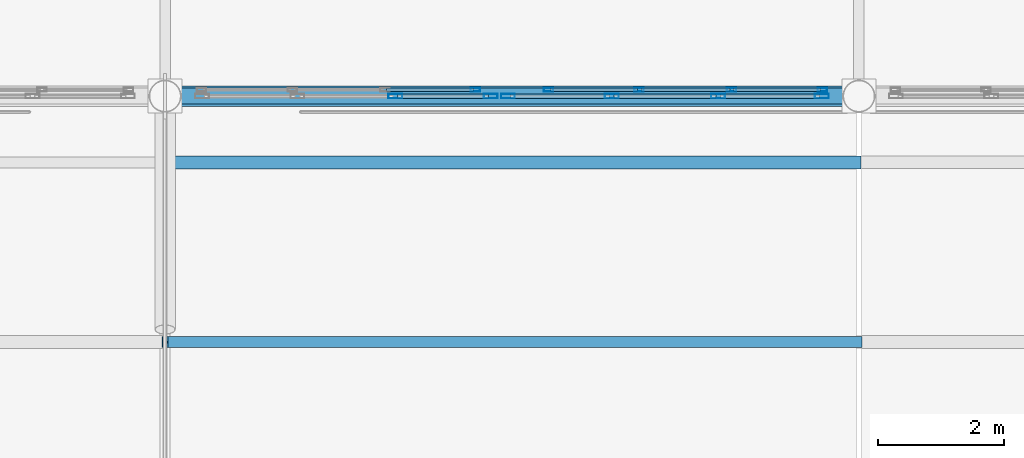
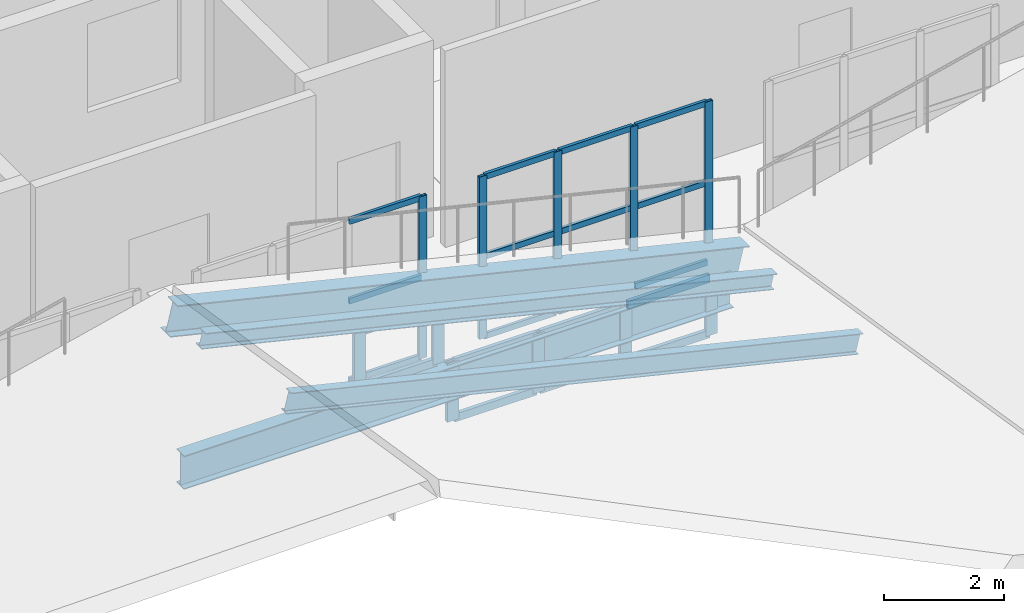
# One storey, part 47 of 120: 33 members, 2 beams, 4 elements without a shape of their own.
"""IFC4 building model written with IfcOpenShell, lengths in metres."""

from ifc_helpers import new_model, si_unit, direction, frame, origin, origin_2d, place, context, subcontext, project, spatial, hollow_rectangle, i_section, extrude, material, material_profile, profile_set, type_object, element, aggregate, save


model = new_model("IFC4")

# Units and contexts
model_context = context("Model", 3, precision=1e-05, world=origin(), true_north=direction((0.0, 1.0)))
body_context = subcontext(model_context, "Body", "Model", "MODEL_VIEW")
ifc_project = project(units=[si_unit("LENGTHUNIT", "METRE"), si_unit("AREAUNIT", "SQUARE_METRE"), si_unit("VOLUMEUNIT", "CUBIC_METRE"), si_unit("PLANEANGLEUNIT", "RADIAN"), si_unit("MASSUNIT", "GRAM", prefix="KILO")], contexts=[model_context])

# Site, building, storey
site_placement = place(None, origin())
site = spatial("IfcSite", under=ifc_project, at=site_placement, CompositionType="ELEMENT")
building_placement = place(site_placement, origin())
building = spatial("IfcBuilding", under=site, at=building_placement, Name="Caurita Quay Ferry Terminal", CompositionType="ELEMENT")
storey_placement = place(building_placement, frame((0.0, 0.0, 9.89990234375)))
storey = spatial("IfcBuildingStorey", under=building, at=storey_placement, Name="L02", CompositionType="ELEMENT", Elevation=9.89990234375)

# Beams
ifc_material_1 = material(Name="Structural steel ASTM A992 Gr. 50", Category="steel")
ifc_material_profile_1 = material_profile(ifc_material_1, i_section(OverallWidth=0.3251953125, OverallDepth=0.612060546875, WebThickness=0.0126953125, FlangeThickness=0.01904296875, FilletRadius=0.01513671875, at=origin_2d()), Name="W24X104")
ifc_profile_set_1 = profile_set([ifc_material_profile_1], Name="Structural steel ASTM A992 Gr. 50")
beam_type_1 = type_object("IfcBeamType", Name="BM-GR-W24A", PredefinedType="BEAM", material=ifc_profile_set_1)
beam_1_placement = place(storey_placement, frame((99.199951171875, 62.699951171875, 2.610107421875), z_axis=(0.972389456854, 0.0, -0.233363973654), x_axis=(0.0, 1.0, 0.0)))
element("IfcBeam", 1, at=beam_1_placement, inside=storey, type_object=beam_type_1, Name="Folded Roof Gable Ring Girder V2-N-99", PredefinedType="BEAM", context=body_context, shape_type="SweptSolid", body=[
    extrude(i_section(OverallWidth=0.3251953125, OverallDepth=0.612060546875, WebThickness=0.0126953125, FlangeThickness=0.01904296875, FilletRadius=0.01513671875, at=origin_2d()), origin(), (0.0, 0.0, 1.0), 11.312255859375),
])
ifc_material_profile_2 = material_profile(ifc_material_1, i_section(OverallWidth=0.25390625, OverallDepth=0.68310546875, WebThickness=0.012451171875, FlangeThickness=0.018798828125, at=origin_2d()), Name="W27X94")
ifc_profile_set_2 = profile_set([ifc_material_profile_2], Name="Structural steel ASTM A992 Gr. 50")
beam_type_2 = type_object("IfcBeamType", Name="BM-GR-W27B", PredefinedType="BEAM", material=ifc_profile_set_2)
beam_2_placement = place(storey_placement, frame((99.416015625, 62.699951171875, -0.5615234375), z_axis=(1.0, 0.0, 0.0), x_axis=(0.0, 1.0, 0.0)))
element("IfcBeam", 2, at=beam_2_placement, inside=storey, type_object=beam_type_2, Name="L02 Beam BM-V2-L02-X-994-627", PredefinedType="BEAM", context=body_context, shape_type="SweptSolid", body=[
    extrude(i_section(OverallWidth=0.25390625, OverallDepth=0.68310546875, WebThickness=0.012451171875, FlangeThickness=0.018798828125, at=origin_2d()), origin(), (0.0, 0.0, 1.0), 10.568115234375),
])

# Curtain wall, member
ifc_material_2 = material(Name="Laminated solar-control insulated glass", Category="glass")
curtain_wall_type_1 = type_object("IfcCurtainWallType", Name="CW-SYS-13", PredefinedType="NOTDEFINED", material=ifc_material_2)
curtain_wall_1_placement = place(storey_placement, origin())
curtain_wall_1 = element("IfcCurtainWall", 3, at=curtain_wall_1_placement, inside=storey, type_object=curtain_wall_type_1, Name="Mezzanine Hall Overlook Glazing 107", PredefinedType="NOTDEFINED")
ifc_material_3 = material(Name="Anodized aluminium 6063-T6", Category="aluminium")
ifc_material_profile_3 = material_profile(ifc_material_3, hollow_rectangle(XDim=0.06005859375, YDim=0.14990234375, WallThickness=0.00341796875, at=origin_2d()), Name="ALU-MUL-60X150")
ifc_profile_set_3 = profile_set([ifc_material_profile_3], Name="Anodized aluminium 6063-T6")
member_type_1 = type_object("IfcMemberType", Name="CW-MUL-150", PredefinedType="MULLION", material=ifc_profile_set_3)
member_1_placement = place(storey_placement, frame((104.1201171875, 62.800048828125, 0.0), z_axis=(0.0, 0.0, 1.0), x_axis=(0.0, 1.0, 0.0)))
member_1 = element("IfcMember", 4, at=member_1_placement, type_object=member_type_1, Name="CW-MZL-107 Mullion 4", PredefinedType="MULLION", context=body_context, shape_type="SweptSolid", body=[
    extrude(hollow_rectangle(XDim=0.06005859375, YDim=0.14990234375, WallThickness=0.00341796875, at=origin_2d()), origin(), (0.0, 0.0, 1.0), 3.300048828125),
])

# Curtain wall, members
curtain_wall_2_placement = place(storey_placement, origin())
curtain_wall_2 = element("IfcCurtainWall", 5, at=curtain_wall_2_placement, inside=storey, type_object=curtain_wall_type_1, Name="Mezzanine Hall Overlook Glazing 108", PredefinedType="NOTDEFINED")
member_2_placement = place(storey_placement, frame((105.280029296875, 62.800048828125, 0.0), z_axis=(0.0, 0.0, 1.0), x_axis=(0.0, 1.0, 0.0)))
member_2 = element("IfcMember", 6, at=member_2_placement, type_object=member_type_1, Name="CW-MZL-108 Mullion 1", PredefinedType="MULLION", context=body_context, shape_type="SweptSolid", body=[
    extrude(hollow_rectangle(XDim=0.06005859375, YDim=0.14990234375, WallThickness=0.00341796875, at=origin_2d()), origin(), (0.0, 0.0, 1.0), 3.300048828125),
])
member_3_placement = place(storey_placement, frame((106.716796875, 62.800048828125, 0.0), z_axis=(0.0, 0.0, 1.0), x_axis=(0.0, 1.0, 0.0)))
member_3 = element("IfcMember", 7, at=member_3_placement, type_object=member_type_1, Name="CW-MZL-108 Mullion 2", PredefinedType="MULLION", context=body_context, shape_type="SweptSolid", body=[
    extrude(hollow_rectangle(XDim=0.06005859375, YDim=0.14990234375, WallThickness=0.00341796875, at=origin_2d()), origin(), (0.0, 0.0, 1.0), 3.300048828125),
])
member_4_placement = place(storey_placement, frame((108.183349609375, 62.800048828125, 0.0), z_axis=(0.0, 0.0, 1.0), x_axis=(0.0, 1.0, 0.0)))
member_4 = element("IfcMember", 8, at=member_4_placement, type_object=member_type_1, Name="CW-MZL-108 Mullion 3", PredefinedType="MULLION", context=body_context, shape_type="SweptSolid", body=[
    extrude(hollow_rectangle(XDim=0.06005859375, YDim=0.14990234375, WallThickness=0.00341796875, at=origin_2d()), origin(), (0.0, 0.0, 1.0), 3.300048828125),
])
member_5_placement = place(storey_placement, frame((109.6201171875, 62.800048828125, 0.0), z_axis=(0.0, 0.0, 1.0), x_axis=(0.0, 1.0, 0.0)))
member_5 = element("IfcMember", 9, at=member_5_placement, type_object=member_type_1, Name="CW-MZL-108 Mullion 4", PredefinedType="MULLION", context=body_context, shape_type="SweptSolid", body=[
    extrude(hollow_rectangle(XDim=0.06005859375, YDim=0.14990234375, WallThickness=0.00341796875, at=origin_2d()), origin(), (0.0, 0.0, 1.0), 3.300048828125),
])

curtain_wall_type_2 = type_object("IfcCurtainWallType", Name="CW-SYS-05", PredefinedType="NOTDEFINED", material=ifc_material_2)
curtain_wall_3_placement = place(storey_placement, origin())
curtain_wall_3 = element("IfcCurtainWall", 10, at=curtain_wall_3_placement, inside=storey, type_object=curtain_wall_type_2, Name="Folded Roof Clerestory FB-05-N3", PredefinedType="NOTDEFINED")
ifc_material_profile_4 = material_profile(ifc_material_3, hollow_rectangle(XDim=0.074951171875, YDim=0.219970703125, WallThickness=0.00390625, at=origin_2d()), Name="ALU-MUL-75X220")
ifc_profile_set_4 = profile_set([ifc_material_profile_4], Name="Anodized aluminium 6063-T6")
member_type_2 = type_object("IfcMemberType", Name="CW-MUL-220", PredefinedType="MULLION", material=ifc_profile_set_4)
member_6_placement = place(storey_placement, frame((102.85009765625, 62.699951171875, -0.122802734375), z_axis=(0.0, 0.0, 1.0), x_axis=(0.0, 1.0, 0.0)))
member_6 = element("IfcMember", 11, at=member_6_placement, type_object=member_type_2, Name="CW-CLR-039 Mullion 3", PredefinedType="MULLION", context=body_context, shape_type="SweptSolid", body=[
    extrude(hollow_rectangle(XDim=0.074951171875, YDim=0.219970703125, WallThickness=0.00390625, at=origin_2d()), origin(), (0.0, 0.0, 1.0), 1.199951171875),
])
member_7_placement = place(storey_placement, frame((104.362548828125, 62.699951171875, -0.122802734375), z_axis=(0.0, 0.0, 1.0), x_axis=(0.0, 1.0, 0.0)))
member_7 = element("IfcMember", 12, at=member_7_placement, type_object=member_type_2, Name="CW-CLR-039 Mullion 4", PredefinedType="MULLION", context=body_context, shape_type="SweptSolid", body=[
    extrude(hollow_rectangle(XDim=0.074951171875, YDim=0.219970703125, WallThickness=0.00390625, at=origin_2d()), origin(), (0.0, 0.0, 1.0), 1.199951171875),
])

curtain_wall_type_3 = type_object("IfcCurtainWallType", Name="CW-SYS-06", PredefinedType="NOTDEFINED", material=ifc_material_2)
curtain_wall_4_placement = place(storey_placement, origin())
curtain_wall_4 = element("IfcCurtainWall", 13, at=curtain_wall_4_placement, inside=storey, type_object=curtain_wall_type_3, Name="Folded Roof Clerestory FB-05-N4", PredefinedType="NOTDEFINED")
member_8_placement = place(storey_placement, frame((104.637451171875, 62.699951171875, -1.3828125), z_axis=(0.0, 0.0, 1.0), x_axis=(0.0, 1.0, 0.0)))
member_8 = element("IfcMember", 14, at=member_8_placement, type_object=member_type_2, Name="CW-CLR-040 Mullion 1", PredefinedType="MULLION", context=body_context, shape_type="SweptSolid", body=[
    extrude(hollow_rectangle(XDim=0.074951171875, YDim=0.219970703125, WallThickness=0.00390625, at=origin_2d()), origin(), (0.0, 0.0, 1.0), 1.199951171875),
])
member_9_placement = place(storey_placement, frame((106.283203125, 62.699951171875, -1.3828125), z_axis=(0.0, 0.0, 1.0), x_axis=(0.0, 1.0, 0.0)))
member_9 = element("IfcMember", 15, at=member_9_placement, type_object=member_type_2, Name="CW-CLR-040 Mullion 2", PredefinedType="MULLION", context=body_context, shape_type="SweptSolid", body=[
    extrude(hollow_rectangle(XDim=0.074951171875, YDim=0.219970703125, WallThickness=0.00390625, at=origin_2d()), origin(), (0.0, 0.0, 1.0), 1.199951171875),
])
member_10_placement = place(storey_placement, frame((107.966796875, 62.699951171875, -1.3828125), z_axis=(0.0, 0.0, 1.0), x_axis=(0.0, 1.0, 0.0)))
member_10 = element("IfcMember", 16, at=member_10_placement, type_object=member_type_2, Name="CW-CLR-040 Mullion 3", PredefinedType="MULLION", context=body_context, shape_type="SweptSolid", body=[
    extrude(hollow_rectangle(XDim=0.074951171875, YDim=0.219970703125, WallThickness=0.00390625, at=origin_2d()), origin(), (0.0, 0.0, 1.0), 1.199951171875),
])
member_11_placement = place(storey_placement, frame((109.612548828125, 62.699951171875, -1.3828125), z_axis=(0.0, 0.0, 1.0), x_axis=(0.0, 1.0, 0.0)))
member_11 = element("IfcMember", 17, at=member_11_placement, type_object=member_type_2, Name="CW-CLR-040 Mullion 4", PredefinedType="MULLION", context=body_context, shape_type="SweptSolid", body=[
    extrude(hollow_rectangle(XDim=0.074951171875, YDim=0.219970703125, WallThickness=0.00390625, at=origin_2d()), origin(), (0.0, 0.0, 1.0), 1.199951171875),
])

# Member
ifc_material_profile_5 = material_profile(ifc_material_3, hollow_rectangle(XDim=0.06005859375, YDim=0.114990234375, WallThickness=0.00341796875, at=origin_2d()), Name="ALU-TRN-60X115")
ifc_profile_set_5 = profile_set([ifc_material_profile_5], Name="Anodized aluminium 6063-T6")
member_type_3 = type_object("IfcMemberType", Name="CW-TRN-115", PredefinedType="USERDEFINED", material=ifc_profile_set_5)
member_12_placement = place(storey_placement, frame((102.711181640625, 62.800048828125, 0.030029296875), z_axis=(1.0, 0.0, 0.0), x_axis=(0.0, 1.0, 0.0)))
member_12 = element("IfcMember", 18, at=member_12_placement, type_object=member_type_3, Name="CW-MZL-107 Transom 7", ObjectType="TRANSOM", PredefinedType="USERDEFINED", context=body_context, shape_type="SweptSolid", body=[
    extrude(hollow_rectangle(XDim=0.06005859375, YDim=0.114990234375, WallThickness=0.00341796875, at=origin_2d()), origin(), (0.0, 0.0, 1.0), 1.380859375),
])

member_13_placement = place(storey_placement, frame((102.711181640625, 62.800048828125, 1.650146484375), z_axis=(1.0, 0.0, 0.0), x_axis=(0.0, 1.0, 0.0)))
member_13 = element("IfcMember", 19, at=member_13_placement, type_object=member_type_3, Name="CW-MZL-107 Transom 8", ObjectType="TRANSOM", PredefinedType="USERDEFINED", context=body_context, shape_type="SweptSolid", body=[
    extrude(hollow_rectangle(XDim=0.06005859375, YDim=0.114990234375, WallThickness=0.00341796875, at=origin_2d()), origin(), (0.0, 0.0, 1.0), 1.380859375),
])

member_14_placement = place(storey_placement, frame((102.711181640625, 62.800048828125, 3.27001953125), z_axis=(1.0, 0.0, 0.0), x_axis=(0.0, 1.0, 0.0)))
member_14 = element("IfcMember", 20, at=member_14_placement, type_object=member_type_3, Name="CW-MZL-107 Transom 9", ObjectType="TRANSOM", PredefinedType="USERDEFINED", context=body_context, shape_type="SweptSolid", body=[
    extrude(hollow_rectangle(XDim=0.06005859375, YDim=0.114990234375, WallThickness=0.00341796875, at=origin_2d()), origin(), (0.0, 0.0, 1.0), 1.380859375),
])

aggregate(curtain_wall_1, [member_1, member_12, member_13, member_14])

member_15_placement = place(storey_placement, frame((105.30810546875, 62.800048828125, 0.030029296875), z_axis=(1.0, 0.0, 0.0), x_axis=(0.0, 1.0, 0.0)))
member_15 = element("IfcMember", 21, at=member_15_placement, type_object=member_type_3, Name="CW-MZL-108 Transom 1", ObjectType="TRANSOM", PredefinedType="USERDEFINED", context=body_context, shape_type="SweptSolid", body=[
    extrude(hollow_rectangle(XDim=0.06005859375, YDim=0.114990234375, WallThickness=0.00341796875, at=origin_2d()), origin(), (0.0, 0.0, 1.0), 1.380615234375),
])

member_16_placement = place(storey_placement, frame((105.30810546875, 62.800048828125, 1.650146484375), z_axis=(1.0, 0.0, 0.0), x_axis=(0.0, 1.0, 0.0)))
member_16 = element("IfcMember", 22, at=member_16_placement, type_object=member_type_3, Name="CW-MZL-108 Transom 2", ObjectType="TRANSOM", PredefinedType="USERDEFINED", context=body_context, shape_type="SweptSolid", body=[
    extrude(hollow_rectangle(XDim=0.06005859375, YDim=0.114990234375, WallThickness=0.00341796875, at=origin_2d()), origin(), (0.0, 0.0, 1.0), 1.380615234375),
])

member_17_placement = place(storey_placement, frame((105.30810546875, 62.800048828125, 3.27001953125), z_axis=(1.0, 0.0, 0.0), x_axis=(0.0, 1.0, 0.0)))
member_17 = element("IfcMember", 23, at=member_17_placement, type_object=member_type_3, Name="CW-MZL-108 Transom 3", ObjectType="TRANSOM", PredefinedType="USERDEFINED", context=body_context, shape_type="SweptSolid", body=[
    extrude(hollow_rectangle(XDim=0.06005859375, YDim=0.114990234375, WallThickness=0.00341796875, at=origin_2d()), origin(), (0.0, 0.0, 1.0), 1.380615234375),
])

member_18_placement = place(storey_placement, frame((106.74462890625, 62.800048828125, 0.030029296875), z_axis=(1.0, 0.0, 0.0), x_axis=(0.0, 1.0, 0.0)))
member_18 = element("IfcMember", 24, at=member_18_placement, type_object=member_type_3, Name="CW-MZL-108 Transom 4", ObjectType="TRANSOM", PredefinedType="USERDEFINED", context=body_context, shape_type="SweptSolid", body=[
    extrude(hollow_rectangle(XDim=0.06005859375, YDim=0.114990234375, WallThickness=0.00341796875, at=origin_2d()), origin(), (0.0, 0.0, 1.0), 1.41064453125),
])

member_19_placement = place(storey_placement, frame((106.74462890625, 62.800048828125, 1.650146484375), z_axis=(1.0, 0.0, 0.0), x_axis=(0.0, 1.0, 0.0)))
member_19 = element("IfcMember", 25, at=member_19_placement, type_object=member_type_3, Name="CW-MZL-108 Transom 5", ObjectType="TRANSOM", PredefinedType="USERDEFINED", context=body_context, shape_type="SweptSolid", body=[
    extrude(hollow_rectangle(XDim=0.06005859375, YDim=0.114990234375, WallThickness=0.00341796875, at=origin_2d()), origin(), (0.0, 0.0, 1.0), 1.41064453125),
])

member_20_placement = place(storey_placement, frame((106.74462890625, 62.800048828125, 3.27001953125), z_axis=(1.0, 0.0, 0.0), x_axis=(0.0, 1.0, 0.0)))
member_20 = element("IfcMember", 26, at=member_20_placement, type_object=member_type_3, Name="CW-MZL-108 Transom 6", ObjectType="TRANSOM", PredefinedType="USERDEFINED", context=body_context, shape_type="SweptSolid", body=[
    extrude(hollow_rectangle(XDim=0.06005859375, YDim=0.114990234375, WallThickness=0.00341796875, at=origin_2d()), origin(), (0.0, 0.0, 1.0), 1.41064453125),
])

member_21_placement = place(storey_placement, frame((108.211181640625, 62.800048828125, 0.030029296875), z_axis=(1.0, 0.0, 0.0), x_axis=(0.0, 1.0, 0.0)))
member_21 = element("IfcMember", 27, at=member_21_placement, type_object=member_type_3, Name="CW-MZL-108 Transom 7", ObjectType="TRANSOM", PredefinedType="USERDEFINED", context=body_context, shape_type="SweptSolid", body=[
    extrude(hollow_rectangle(XDim=0.06005859375, YDim=0.114990234375, WallThickness=0.00341796875, at=origin_2d()), origin(), (0.0, 0.0, 1.0), 1.380859375),
])

member_22_placement = place(storey_placement, frame((108.211181640625, 62.800048828125, 1.650146484375), z_axis=(1.0, 0.0, 0.0), x_axis=(0.0, 1.0, 0.0)))
member_22 = element("IfcMember", 28, at=member_22_placement, type_object=member_type_3, Name="CW-MZL-108 Transom 8", ObjectType="TRANSOM", PredefinedType="USERDEFINED", context=body_context, shape_type="SweptSolid", body=[
    extrude(hollow_rectangle(XDim=0.06005859375, YDim=0.114990234375, WallThickness=0.00341796875, at=origin_2d()), origin(), (0.0, 0.0, 1.0), 1.380859375),
])

member_23_placement = place(storey_placement, frame((108.211181640625, 62.800048828125, 3.27001953125), z_axis=(1.0, 0.0, 0.0), x_axis=(0.0, 1.0, 0.0)))
member_23 = element("IfcMember", 29, at=member_23_placement, type_object=member_type_3, Name="CW-MZL-108 Transom 9", ObjectType="TRANSOM", PredefinedType="USERDEFINED", context=body_context, shape_type="SweptSolid", body=[
    extrude(hollow_rectangle(XDim=0.06005859375, YDim=0.114990234375, WallThickness=0.00341796875, at=origin_2d()), origin(), (0.0, 0.0, 1.0), 1.380859375),
])

aggregate(curtain_wall_2, [member_2, member_3, member_4, member_5, member_15, member_16, member_17, member_18, member_19, member_20, member_21, member_22, member_23])

ifc_material_profile_6 = material_profile(ifc_material_3, hollow_rectangle(XDim=0.074951171875, YDim=0.159912109375, WallThickness=0.00390625, at=origin_2d()), Name="ALU-TRN-75X160")
ifc_profile_set_6 = profile_set([ifc_material_profile_6], Name="Anodized aluminium 6063-T6")
member_type_4 = type_object("IfcMemberType", Name="CW-TRN-160", PredefinedType="USERDEFINED", material=ifc_profile_set_6)
member_24_placement = place(storey_placement, frame((102.885498046875, 62.699951171875, -0.08544921875), z_axis=(1.0, 0.0, 0.0), x_axis=(0.0, 1.0, 0.0)))
member_24 = element("IfcMember", 30, at=member_24_placement, type_object=member_type_4, Name="CW-CLR-039 Transom 5", ObjectType="TRANSOM", PredefinedType="USERDEFINED", context=body_context, shape_type="SweptSolid", body=[
    extrude(hollow_rectangle(XDim=0.074951171875, YDim=0.159912109375, WallThickness=0.00390625, at=origin_2d()), origin(), (0.0, 0.0, 1.0), 1.44140625),
])

member_25_placement = place(storey_placement, frame((102.885498046875, 62.699951171875, 1.03955078125), z_axis=(1.0, 0.0, 0.0), x_axis=(0.0, 1.0, 0.0)))
member_25 = element("IfcMember", 31, at=member_25_placement, type_object=member_type_4, Name="CW-CLR-039 Transom 6", ObjectType="TRANSOM", PredefinedType="USERDEFINED", context=body_context, shape_type="SweptSolid", body=[
    extrude(hollow_rectangle(XDim=0.074951171875, YDim=0.159912109375, WallThickness=0.00390625, at=origin_2d()), origin(), (0.0, 0.0, 1.0), 1.44140625),
])

aggregate(curtain_wall_3, [member_6, member_7, member_24, member_25])

member_26_placement = place(storey_placement, frame((104.673095703125, 62.699951171875, -1.345458984375), z_axis=(1.0, 0.0, 0.0), x_axis=(0.0, 1.0, 0.0)))
member_26 = element("IfcMember", 32, at=member_26_placement, type_object=member_type_4, Name="CW-CLR-040 Transom 1", ObjectType="TRANSOM", PredefinedType="USERDEFINED", context=body_context, shape_type="SweptSolid", body=[
    extrude(hollow_rectangle(XDim=0.074951171875, YDim=0.159912109375, WallThickness=0.00390625, at=origin_2d()), origin(), (0.0, 0.0, 1.0), 1.57470703125),
])

member_27_placement = place(storey_placement, frame((104.673095703125, 62.699951171875, -0.220458984375), z_axis=(1.0, 0.0, 0.0), x_axis=(0.0, 1.0, 0.0)))
member_27 = element("IfcMember", 33, at=member_27_placement, type_object=member_type_4, Name="CW-CLR-040 Transom 2", ObjectType="TRANSOM", PredefinedType="USERDEFINED", context=body_context, shape_type="SweptSolid", body=[
    extrude(hollow_rectangle(XDim=0.074951171875, YDim=0.159912109375, WallThickness=0.00390625, at=origin_2d()), origin(), (0.0, 0.0, 1.0), 1.57470703125),
])

member_28_placement = place(storey_placement, frame((106.31884765625, 62.699951171875, -1.345458984375), z_axis=(1.0, 0.0, 0.0), x_axis=(0.0, 1.0, 0.0)))
member_28 = element("IfcMember", 34, at=member_28_placement, type_object=member_type_4, Name="CW-CLR-040 Transom 3", ObjectType="TRANSOM", PredefinedType="USERDEFINED", context=body_context, shape_type="SweptSolid", body=[
    extrude(hollow_rectangle(XDim=0.074951171875, YDim=0.159912109375, WallThickness=0.00390625, at=origin_2d()), origin(), (0.0, 0.0, 1.0), 1.6123046875),
])

member_29_placement = place(storey_placement, frame((106.31884765625, 62.699951171875, -0.220458984375), z_axis=(1.0, 0.0, 0.0), x_axis=(0.0, 1.0, 0.0)))
member_29 = element("IfcMember", 35, at=member_29_placement, type_object=member_type_4, Name="CW-CLR-040 Transom 4", ObjectType="TRANSOM", PredefinedType="USERDEFINED", context=body_context, shape_type="SweptSolid", body=[
    extrude(hollow_rectangle(XDim=0.074951171875, YDim=0.159912109375, WallThickness=0.00390625, at=origin_2d()), origin(), (0.0, 0.0, 1.0), 1.6123046875),
])

member_30_placement = place(storey_placement, frame((108.002197265625, 62.699951171875, -1.345458984375), z_axis=(1.0, 0.0, 0.0), x_axis=(0.0, 1.0, 0.0)))
member_30 = element("IfcMember", 36, at=member_30_placement, type_object=member_type_4, Name="CW-CLR-040 Transom 5", ObjectType="TRANSOM", PredefinedType="USERDEFINED", context=body_context, shape_type="SweptSolid", body=[
    extrude(hollow_rectangle(XDim=0.074951171875, YDim=0.159912109375, WallThickness=0.00390625, at=origin_2d()), origin(), (0.0, 0.0, 1.0), 1.57470703125),
])

member_31_placement = place(storey_placement, frame((108.002197265625, 62.699951171875, -0.220458984375), z_axis=(1.0, 0.0, 0.0), x_axis=(0.0, 1.0, 0.0)))
member_31 = element("IfcMember", 37, at=member_31_placement, type_object=member_type_4, Name="CW-CLR-040 Transom 6", ObjectType="TRANSOM", PredefinedType="USERDEFINED", context=body_context, shape_type="SweptSolid", body=[
    extrude(hollow_rectangle(XDim=0.074951171875, YDim=0.159912109375, WallThickness=0.00390625, at=origin_2d()), origin(), (0.0, 0.0, 1.0), 1.57470703125),
])

aggregate(curtain_wall_4, [member_8, member_9, member_10, member_11, member_26, member_27, member_28, member_29, member_30, member_31])

# Members
ifc_material_profile_7 = material_profile(ifc_material_1, i_section(OverallWidth=0.20458984375, OverallDepth=0.307373046875, WebThickness=0.008544921875, FlangeThickness=0.0146484375, FilletRadius=0.0126953125, at=origin_2d()), Name="W12X45")
ifc_profile_set_7 = profile_set([ifc_material_profile_7], Name="Structural steel ASTM A992 Gr. 50")
member_type_5 = type_object("IfcMemberType", Name="MEM-PUR-12", PredefinedType="PURLIN", material=ifc_profile_set_7)
member_32_placement = place(storey_placement, frame((99.199951171875, 61.64990234375, 2.80810546875), z_axis=(0.972389456854, 0.0, -0.233363973654), x_axis=(0.0, 1.0, 0.0)))
element("IfcMember", 38, at=member_32_placement, inside=storey, type_object=member_type_5, Name="Folded Roof Purlin PUR-100", PredefinedType="PURLIN", context=body_context, shape_type="SweptSolid", body=[
    extrude(i_section(OverallWidth=0.20458984375, OverallDepth=0.307373046875, WebThickness=0.008544921875, FlangeThickness=0.0146484375, FilletRadius=0.0126953125, at=origin_2d()), origin(), (0.0, 0.0, 1.0), 11.312255859375),
])
ifc_material_profile_8 = material_profile(ifc_material_1, i_section(OverallWidth=0.177734375, OverallDepth=0.40380859375, WebThickness=0.007568359375, FlangeThickness=0.010986328125, FilletRadius=0.011474609375, at=origin_2d()), Name="W16X36")
ifc_profile_set_8 = profile_set([ifc_material_profile_8], Name="Structural steel ASTM A992 Gr. 50")
member_type_6 = type_object("IfcMemberType", Name="MEM-PUR-16", PredefinedType="PURLIN", material=ifc_profile_set_8)
member_33_placement = place(storey_placement, frame((99.199951171875, 58.800048828125, 3.26416015625), z_axis=(0.972384559308, 0.0, -0.23338437998), x_axis=(0.0, 1.0, 0.0)))
element("IfcMember", 39, at=member_33_placement, inside=storey, type_object=member_type_6, Name="Folded Roof Purlin PUR-099", PredefinedType="PURLIN", context=body_context, shape_type="SweptSolid", body=[
    extrude(i_section(OverallWidth=0.177734375, OverallDepth=0.40380859375, WebThickness=0.007568359375, FlangeThickness=0.010986328125, FilletRadius=0.011474609375, at=origin_2d()), origin(), (0.0, 0.0, 1.0), 11.3125),
])

save(model, "model.ifc")
